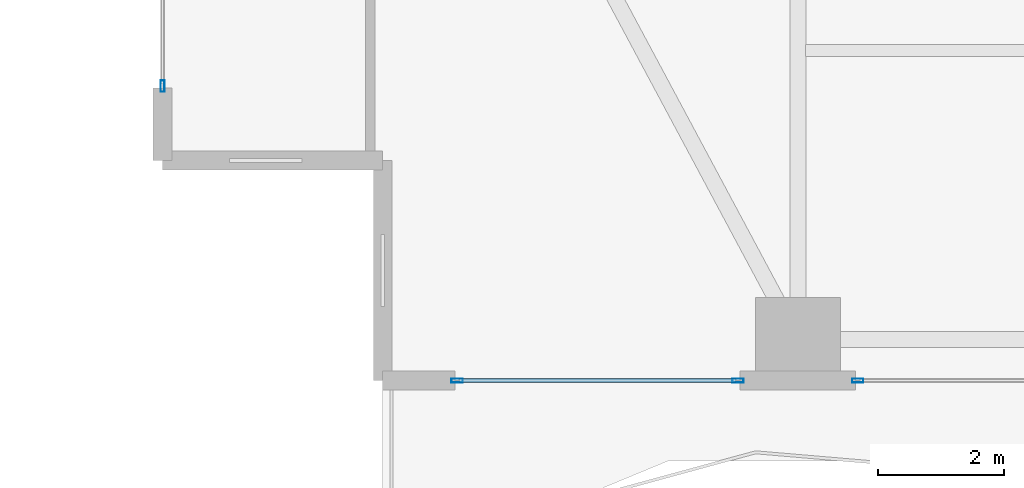
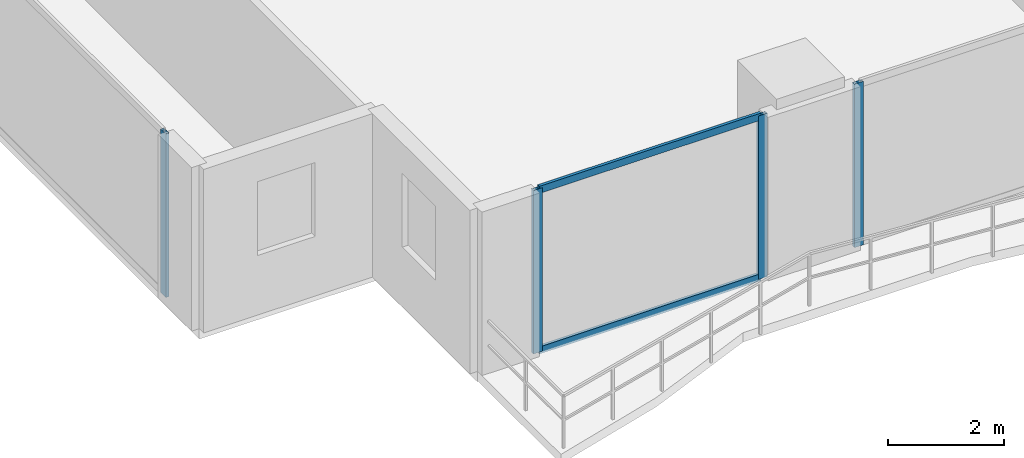
# One storey, part 2 of 29: 6 members, 3 elements without a shape of their own.
"""IFC4 building model written with IfcOpenShell, lengths in metres."""

from ifc_helpers import new_model, si_unit, direction, frame, origin, origin_2d, place, context, subcontext, project, spatial, hollow_rectangle, extrude, material, layer, layer_set, material_profile, profile_set, type_object, element, aggregate, save


model = new_model("IFC4")

# Units and contexts
model_context = context("Model", 3, precision=1e-05, world=origin(), true_north=direction((0.0, 1.0)))
body_context = subcontext(model_context, "Body", "Model", "MODEL_VIEW")
ifc_project = project(units=[si_unit("LENGTHUNIT", "METRE"), si_unit("AREAUNIT", "SQUARE_METRE"), si_unit("VOLUMEUNIT", "CUBIC_METRE"), si_unit("PLANEANGLEUNIT", "RADIAN"), si_unit("MASSUNIT", "GRAM", prefix="KILO")], contexts=[model_context])

# Site, building, storey
site_placement = place(None, origin())
site = spatial("IfcSite", under=ifc_project, at=site_placement, CompositionType="ELEMENT")
building_placement = place(site_placement, origin())
building = spatial("IfcBuilding", under=site, at=building_placement, Name="Zuhayl Quay Hotel", CompositionType="ELEMENT")
storey_placement = place(building_placement, frame((0.0, 0.0, 106.60009765625)))
storey = spatial("IfcBuildingStorey", under=building, at=storey_placement, Name="L26", CompositionType="ELEMENT", Elevation=106.60009765625)

# Curtain wall, member
ifc_material_1 = material(Name="Anodised Aluminium 6063-T6", Category="aluminium")
ifc_layer = layer(ifc_material_1, 0.179931640625, Name="Anodised Aluminium 6063-T6", Category="aluminium")
ifc_layer_set = layer_set([ifc_layer], Name="Anodised Aluminium 6063-T6")
curtain_wall_type = type_object("IfcCurtainWallType", Name="CW_SYS_Z2", PredefinedType="USERDEFINED", material=ifc_layer_set)
curtain_wall_1_placement = place(storey_placement, origin())
curtain_wall_1 = element("IfcCurtainWall", 1, at=curtain_wall_1_placement, inside=storey, type_object=curtain_wall_type, Name="L26 Curtain Wall ENV_L26_E02_CW1", ObjectType="UNITISED CURTAIN WALL", PredefinedType="USERDEFINED")
ifc_material_2 = material(Name="Black-anodised aluminium 6063-T6", Category="aluminium")
ifc_material_profile_1 = material_profile(ifc_material_2, hollow_rectangle(XDim=0.06494140625, YDim=0.179931640625, WallThickness=0.00341796875, at=origin_2d()), Name="ALU180X65")
ifc_profile_set_1 = profile_set([ifc_material_profile_1], Name="Black-anodised aluminium 6063-T6")
member_type_1 = type_object("IfcMemberType", Name="MB_CW_MUL_180", PredefinedType="MULLION", material=ifc_profile_set_1)
member_1_placement = place(storey_placement, frame((-23.89990234375, -10.717529296875, 0.0), z_axis=(0.0, 0.0, 1.0), x_axis=(-1.0, 0.0, 0.0)))
member_1 = element("IfcMember", 2, at=member_1_placement, type_object=member_type_1, Name="CW-Z2 mullion 1", PredefinedType="MULLION", context=body_context, shape_type="SweptSolid", body=[
    extrude(hollow_rectangle(XDim=0.06494140625, YDim=0.179931640625, WallThickness=0.00341796875, at=origin_2d()), origin(), (0.0, 0.0, 1.0), 3.429931640625),
])
aggregate(curtain_wall_1, [member_1])

curtain_wall_2_placement = place(storey_placement, origin())
curtain_wall_2 = element("IfcCurtainWall", 3, at=curtain_wall_2_placement, inside=storey, type_object=curtain_wall_type, Name="L26 Curtain Wall ENV_L26_S_CW5", ObjectType="UNITISED CURTAIN WALL", PredefinedType="USERDEFINED")
member_2_placement = place(storey_placement, frame((-12.847412109375, -15.39990234375, 0.0), z_axis=(0.0, 0.0, 1.0), x_axis=(0.0, -1.0, 0.0)))
member_2 = element("IfcMember", 4, at=member_2_placement, type_object=member_type_1, Name="CW-Z2 mullion 2", PredefinedType="MULLION", context=body_context, shape_type="SweptSolid", body=[
    extrude(hollow_rectangle(XDim=0.06494140625, YDim=0.179931640625, WallThickness=0.00341796875, at=origin_2d()), origin(), (0.0, 0.0, 1.0), 3.429931640625),
])
aggregate(curtain_wall_2, [member_2])

# Curtain wall, members
curtain_wall_3_placement = place(storey_placement, origin())
curtain_wall_3 = element("IfcCurtainWall", 5, at=curtain_wall_3_placement, inside=storey, type_object=curtain_wall_type, Name="L26 Curtain Wall ENV_L26_S_CW6", ObjectType="UNITISED CURTAIN WALL", PredefinedType="USERDEFINED")
member_3_placement = place(storey_placement, frame((-14.75244140625, -15.39990234375, 0.0), z_axis=(0.0, 0.0, 1.0), x_axis=(0.0, -1.0, 0.0)))
member_3 = element("IfcMember", 6, at=member_3_placement, type_object=member_type_1, Name="CW-Z2 mullion 1", PredefinedType="MULLION", context=body_context, shape_type="SweptSolid", body=[
    extrude(hollow_rectangle(XDim=0.06494140625, YDim=0.179931640625, WallThickness=0.00341796875, at=origin_2d()), origin(), (0.0, 0.0, 1.0), 3.429931640625),
])
member_4_placement = place(storey_placement, frame((-19.217529296875, -15.39990234375, 0.0), z_axis=(0.0, 0.0, 1.0), x_axis=(0.0, -1.0, 0.0)))
member_4 = element("IfcMember", 7, at=member_4_placement, type_object=member_type_1, Name="CW-Z2 mullion 2", PredefinedType="MULLION", context=body_context, shape_type="SweptSolid", body=[
    extrude(hollow_rectangle(XDim=0.06494140625, YDim=0.179931640625, WallThickness=0.00341796875, at=origin_2d()), origin(), (0.0, 0.0, 1.0), 3.429931640625),
])
ifc_material_profile_2 = material_profile(ifc_material_2, hollow_rectangle(XDim=0.06005859375, YDim=0.14990234375, WallThickness=0.00341796875, at=origin_2d()), Name="ALU150X60")
ifc_profile_set_2 = profile_set([ifc_material_profile_2], Name="Black-anodised aluminium 6063-T6")
member_type_2 = type_object("IfcMemberType", Name="MB_CW_TRN_150", PredefinedType="USERDEFINED", material=ifc_profile_set_2)
member_5_placement = place(storey_placement, frame((-14.784912109375, -15.39990234375, 0.02978515625), z_axis=(-1.0, 0.0, 0.0), x_axis=(0.0, -1.0, 0.0)))
member_5 = element("IfcMember", 8, at=member_5_placement, type_object=member_type_2, Name="CW-Z2 transom 1.1", ObjectType="TRANSOM", PredefinedType="USERDEFINED", context=body_context, shape_type="SweptSolid", body=[
    extrude(hollow_rectangle(XDim=0.06005859375, YDim=0.14990234375, WallThickness=0.00341796875, at=origin_2d()), origin(), (0.0, 0.0, 1.0), 4.400146484375),
])
member_6_placement = place(storey_placement, frame((-14.784912109375, -15.39990234375, 3.39990234375), z_axis=(-1.0, 0.0, 0.0), x_axis=(0.0, -1.0, 0.0)))
member_6 = element("IfcMember", 9, at=member_6_placement, type_object=member_type_2, Name="CW-Z2 transom 1.2", ObjectType="TRANSOM", PredefinedType="USERDEFINED", context=body_context, shape_type="SweptSolid", body=[
    extrude(hollow_rectangle(XDim=0.06005859375, YDim=0.14990234375, WallThickness=0.00341796875, at=origin_2d()), origin(), (0.0, 0.0, 1.0), 4.400146484375),
])
aggregate(curtain_wall_3, [member_3, member_4, member_5, member_6])

save(model, "model.ifc")
